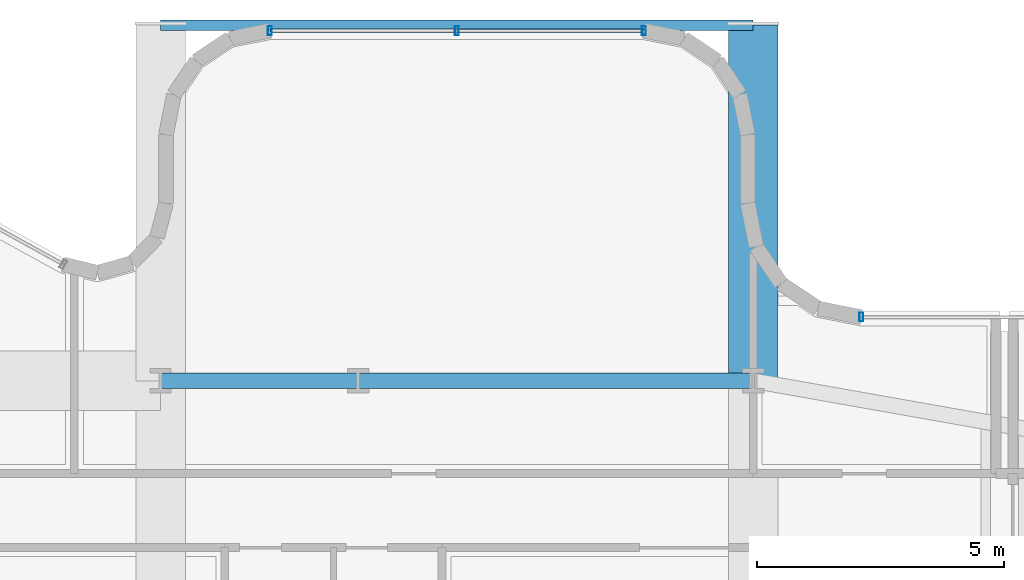
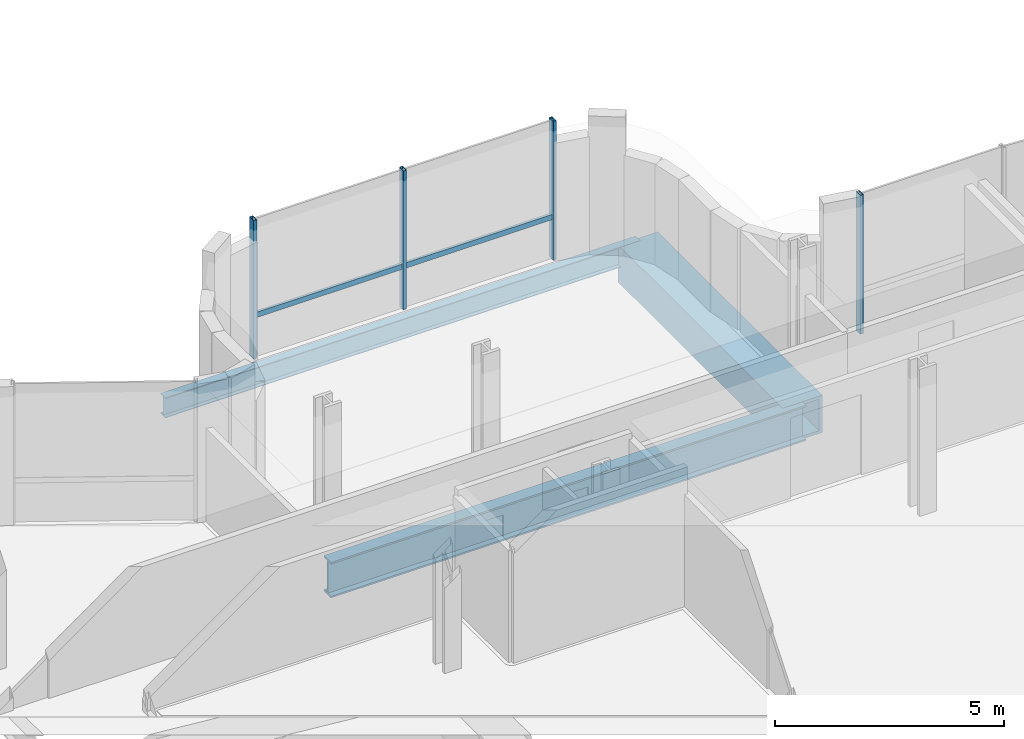
# One storey, part 22 of 35: 5 members, 3 beams, 2 elements without a shape of their own.
"""IFC4 building model written with IfcOpenShell, lengths in metres."""

from ifc_helpers import new_model, si_unit, direction, frame, origin, origin_2d, place, context, subcontext, project, spatial, hollow_rectangle, i_section, extrude, source, transform, mapped, material, material_profile, profile_set, type_object, element, aggregate, save


model = new_model("IFC4")

# Units and contexts
model_context = context("Model", 3, precision=1e-05, world=origin(), true_north=direction((0.0, 1.0)))
body_context = subcontext(model_context, "Body", "Model", "MODEL_VIEW")
ifc_project = project(units=[si_unit("LENGTHUNIT", "METRE"), si_unit("AREAUNIT", "SQUARE_METRE"), si_unit("VOLUMEUNIT", "CUBIC_METRE"), si_unit("PLANEANGLEUNIT", "RADIAN"), si_unit("MASSUNIT", "GRAM", prefix="KILO")], contexts=[model_context])

# Site, building, storey
site_placement = place(None, origin())
site = spatial("IfcSite", under=ifc_project, at=site_placement, CompositionType="ELEMENT")
building_placement = place(site_placement, origin())
building = spatial("IfcBuilding", under=site, at=building_placement, Name="Valdorenza Pilgrim Sanctuary Tower", CompositionType="ELEMENT")
storey_placement = place(building_placement, frame((0.0, 0.0, 192.35009765625)))
storey = spatial("IfcBuildingStorey", under=building, at=storey_placement, Name="L49", CompositionType="ELEMENT", Elevation=192.35009765625)

# Beams
ifc_material_1 = material(Name="Steel ASTM A572 Grade 42", Category="steel")
ifc_material_profile_1 = material_profile(ifc_material_1, hollow_rectangle(XDim=1.0, YDim=1.0, WallThickness=0.080078125, at=origin_2d()), Name="BOX 1000x1000x80")
ifc_profile_set_1 = profile_set([ifc_material_profile_1], Name="Steel ASTM A572 Grade 42")
beam_type_1 = type_object("IfcBeamType", Name="STR-BM-PROW-CANT", PredefinedType="BEAM", material=ifc_profile_set_1)
shared_shape_1 = source(origin(), body_context, "Body", "SweptSolid", [
    extrude(hollow_rectangle(XDim=1.0, YDim=1.0, WallThickness=0.080078125, at=origin_2d()), origin(), (0.0, 0.0, 1.0), 7.199951171875),
])
beam_1_placement = place(storey_placement, frame((8.5, 14.800048828125, -0.820068359375), z_axis=(0.0, 1.0, 0.0), x_axis=(-1.0, 0.0, 0.0)))
element("IfcBeam", 1, at=beam_1_placement, inside=storey, type_object=beam_type_1, Name="L49 North Sanctuary Prow Cantilever PROW-CANT-N-E", PredefinedType="BEAM", context=body_context, shape_type="MappedRepresentation", body=[
    mapped(shared_shape_1, transform((0.0, 0.0, 0.0), x_axis=(1.0, 0.0, 0.0), y_axis=(0.0, 1.0, 0.0), z_axis=(0.0, 0.0, 1.0), scale=1.0)),
])
ifc_material_2 = material(Name="Steel ASTM A992 Grade 50", Category="steel")
ifc_material_profile_2 = material_profile(ifc_material_2, i_section(OverallWidth=0.2109375, OverallDepth=0.5390625, WebThickness=0.01171875, FlangeThickness=0.018798828125, at=origin_2d()), Name="W21X73")
ifc_profile_set_2 = profile_set([ifc_material_profile_2], Name="Steel ASTM A992 Grade 50")
beam_type_2 = type_object("IfcBeamType", Name="STR-BM-SPN-W21B", PredefinedType="SPANDREL", material=ifc_profile_set_2)
shared_shape_2 = source(origin(), body_context, "Body", "SweptSolid", [
    extrude(i_section(OverallWidth=0.2109375, OverallDepth=0.5390625, WebThickness=0.01171875, FlangeThickness=0.018798828125, at=origin_2d()), origin(), (0.0, 0.0, 1.0), 12.0),
])
beam_2_placement = place(storey_placement, frame((-3.5, 22.0, -0.589599609375), z_axis=(1.0, 0.0, 0.0), x_axis=(0.0, 1.0, 0.0)))
element("IfcBeam", 2, at=beam_2_placement, inside=storey, type_object=beam_type_2, Name="L49 North Prow Tip Spandrel PROW-TIP-N", PredefinedType="SPANDREL", context=body_context, shape_type="MappedRepresentation", body=[
    mapped(shared_shape_2, transform((0.0, 0.0, 0.0), x_axis=(1.0, 0.0, 0.0), y_axis=(0.0, 1.0, 0.0), z_axis=(0.0, 0.0, 1.0), scale=1.0)),
])
ifc_material_profile_3 = material_profile(ifc_material_2, i_section(OverallWidth=0.31005859375, OverallDepth=0.949951171875, WebThickness=0.0244140625, FlangeThickness=0.0439453125, at=origin_2d()), Name="W36X256")
ifc_profile_set_3 = profile_set([ifc_material_profile_3], Name="Steel ASTM A992 Grade 50")
beam_type_3 = type_object("IfcBeamType", Name="STR-BM-GRD-W36B", PredefinedType="BEAM", material=ifc_profile_set_3)
shared_shape_3 = source(origin(), body_context, "Body", "SweptSolid", [
    extrude(i_section(OverallWidth=0.31005859375, OverallDepth=0.949951171875, WebThickness=0.0244140625, FlangeThickness=0.0439453125, at=origin_2d()), origin(), (0.0, 0.0, 1.0), 12.0),
])
beam_3_placement = place(storey_placement, frame((-3.5, 14.800048828125, -0.795166015625), z_axis=(1.0, 0.0, 0.0), x_axis=(0.0, 1.0, 0.0)))
element("IfcBeam", 3, at=beam_3_placement, inside=storey, type_object=beam_type_3, Name="L49 Portal Bridge Span Girder PRY-G2-P14", PredefinedType="BEAM", context=body_context, shape_type="MappedRepresentation", body=[
    mapped(shared_shape_3, transform((0.0, 0.0, 0.0), x_axis=(1.0, 0.0, 0.0), y_axis=(0.0, 1.0, 0.0), z_axis=(0.0, 0.0, 1.0), scale=1.0)),
])

# Curtain wall, members
ifc_material_3 = material(Name="Curtain-wall IGU glazing", Category="glass")
curtain_wall_type = type_object("IfcCurtainWallType", Name="CW-SYS-05", PredefinedType="NOTDEFINED", material=ifc_material_3)
curtain_wall_1_placement = place(storey_placement, origin())
curtain_wall_1 = element("IfcCurtainWall", 4, at=curtain_wall_1_placement, inside=storey, type_object=curtain_wall_type, Name="L49 Curtain Wall CW-L49-1-21", PredefinedType="NOTDEFINED")
ifc_material_4 = material(Name="Anodised aluminium AW-6060", Category="aluminium")
ifc_material_profile_4 = material_profile(ifc_material_4, hollow_rectangle(XDim=0.070068359375, YDim=0.139892578125, WallThickness=0.00341796875, at=origin_2d()), Name="ALU-T 140x70x3.5")
ifc_profile_set_4 = profile_set([ifc_material_profile_4], Name="Anodised aluminium AW-6060")
member_type_1 = type_object("IfcMemberType", Name="CW-TRN-05", PredefinedType="USERDEFINED", material=ifc_profile_set_4)
shared_shape_4 = source(origin(), body_context, "Body", "SweptSolid", [
    extrude(hollow_rectangle(XDim=0.070068359375, YDim=0.139892578125, WallThickness=0.00341796875, at=origin_2d()), origin(), (0.0, 0.0, 1.0), 7.5703125),
])
member_1_placement = place(storey_placement, frame((-1.28515625, 21.889892578125, 1.119873046875), z_axis=(1.0, 0.0, 0.0), x_axis=(0.0, 1.0, 0.0)))
member_1 = element("IfcMember", 5, at=member_1_placement, type_object=member_type_1, Name="CW-L49-1-21 Transom 1", ObjectType="TRANSOM", PredefinedType="USERDEFINED", context=body_context, shape_type="MappedRepresentation", body=[
    mapped(shared_shape_4, transform((0.0, 0.0, 0.0), x_axis=(1.0, 0.0, 0.0), y_axis=(0.0, 1.0, 0.0), z_axis=(0.0, 0.0, 1.0), scale=1.0)),
])
ifc_material_profile_5 = material_profile(ifc_material_4, hollow_rectangle(XDim=0.080078125, YDim=0.179931640625, WallThickness=0.00439453125, at=origin_2d()), Name="ALU-M 180x80x4.5")
ifc_profile_set_5 = profile_set([ifc_material_profile_5], Name="Anodised aluminium AW-6060")
member_type_2 = type_object("IfcMemberType", Name="CW-MUL-05", PredefinedType="MULLION", material=ifc_profile_set_5)
shared_shape_5 = source(origin(), body_context, "Body", "SweptSolid", [
    extrude(hollow_rectangle(XDim=0.080078125, YDim=0.179931640625, WallThickness=0.00439453125, at=origin_2d()), origin(), (0.0, 0.0, 1.0), 3.7099609375),
])
member_2_placement = place(storey_placement, frame((-1.28515625, 21.889892578125, 0.0), z_axis=(0.0, 0.0, 1.0), x_axis=(1.0, 0.0, 0.0)))
member_2 = element("IfcMember", 6, at=member_2_placement, type_object=member_type_2, Name="CW-L49-1-21 Mullion 1", PredefinedType="MULLION", context=body_context, shape_type="MappedRepresentation", body=[
    mapped(shared_shape_5, transform((0.0, 0.0, 0.0), x_axis=(1.0, 0.0, 0.0), y_axis=(0.0, 1.0, 0.0), z_axis=(0.0, 0.0, 1.0), scale=1.0)),
])
member_3_placement = place(storey_placement, frame((2.5, 21.889892578125, 0.0), z_axis=(0.0, 0.0, 1.0), x_axis=(1.0, 0.0, 0.0)))
member_3 = element("IfcMember", 7, at=member_3_placement, type_object=member_type_2, Name="CW-L49-1-21 Mullion 2", PredefinedType="MULLION", context=body_context, shape_type="MappedRepresentation", body=[
    mapped(shared_shape_5, transform((0.0, 0.0, 0.0), x_axis=(1.0, 0.0, 0.0), y_axis=(0.0, 1.0, 0.0), z_axis=(0.0, 0.0, 1.0), scale=1.0)),
])
member_4_placement = place(storey_placement, frame((6.28515625, 21.889892578125, 0.0), z_axis=(0.0, 0.0, 1.0), x_axis=(1.0, 0.0, 0.0)))
member_4 = element("IfcMember", 8, at=member_4_placement, type_object=member_type_2, Name="CW-L49-1-21 Mullion 3", PredefinedType="MULLION", context=body_context, shape_type="MappedRepresentation", body=[
    mapped(shared_shape_5, transform((0.0, 0.0, 0.0), x_axis=(1.0, 0.0, 0.0), y_axis=(0.0, 1.0, 0.0), z_axis=(0.0, 0.0, 1.0), scale=1.0)),
])
aggregate(curtain_wall_1, [member_2, member_3, member_4, member_1])

# Curtain wall, member
curtain_wall_2_placement = place(storey_placement, origin())
curtain_wall_2 = element("IfcCurtainWall", 9, at=curtain_wall_2_placement, inside=storey, type_object=curtain_wall_type, Name="L49 Curtain Wall CW-L49-1-31", PredefinedType="NOTDEFINED")
member_5_placement = place(storey_placement, frame((10.693115234375, 16.090087890625, 0.0), z_axis=(0.0, 0.0, 1.0), x_axis=(1.0, 0.0, 0.0)))
member_5 = element("IfcMember", 10, at=member_5_placement, type_object=member_type_2, Name="CW-L49-1-31 Mullion 1", PredefinedType="MULLION", context=body_context, shape_type="MappedRepresentation", body=[
    mapped(shared_shape_5, transform((0.0, 0.0, 0.0), x_axis=(1.0, 0.0, 0.0), y_axis=(0.0, 1.0, 0.0), z_axis=(0.0, 0.0, 1.0), scale=1.0)),
])
aggregate(curtain_wall_2, [member_5])

save(model, "model.ifc")
